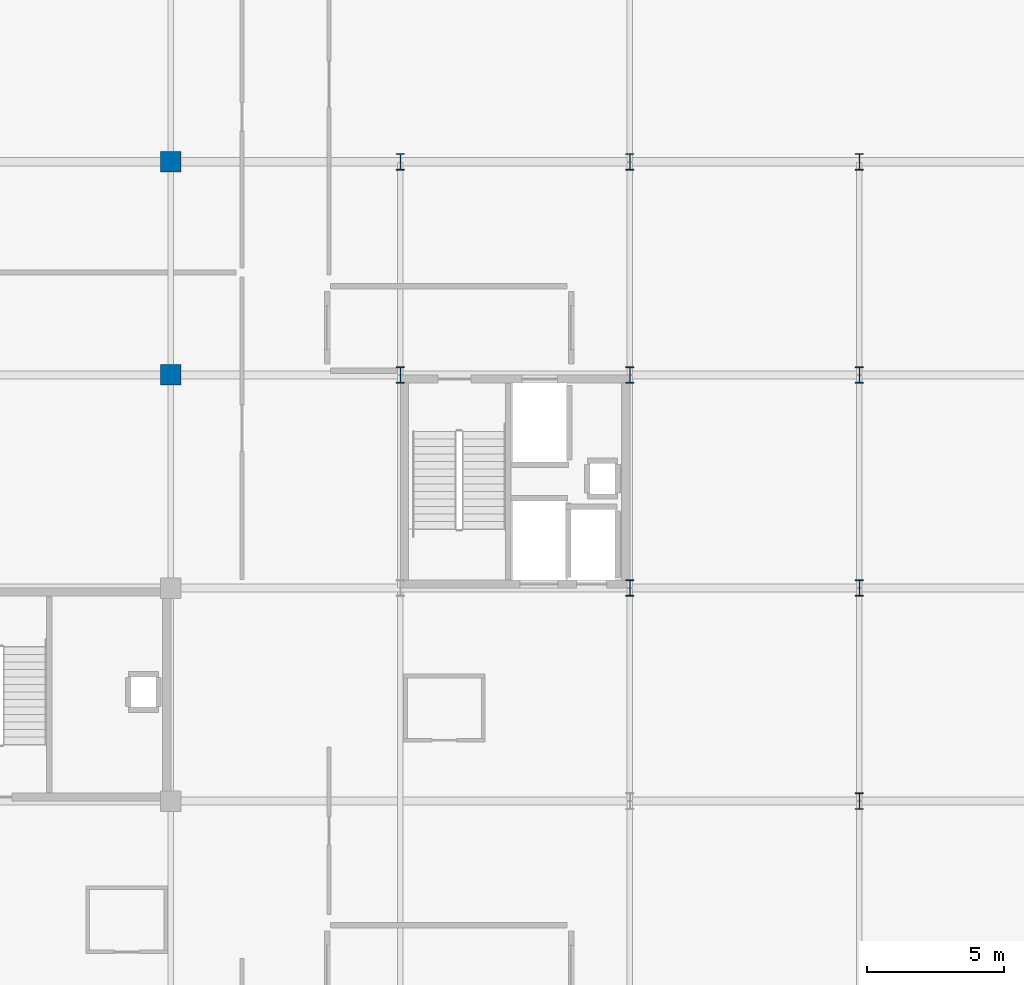
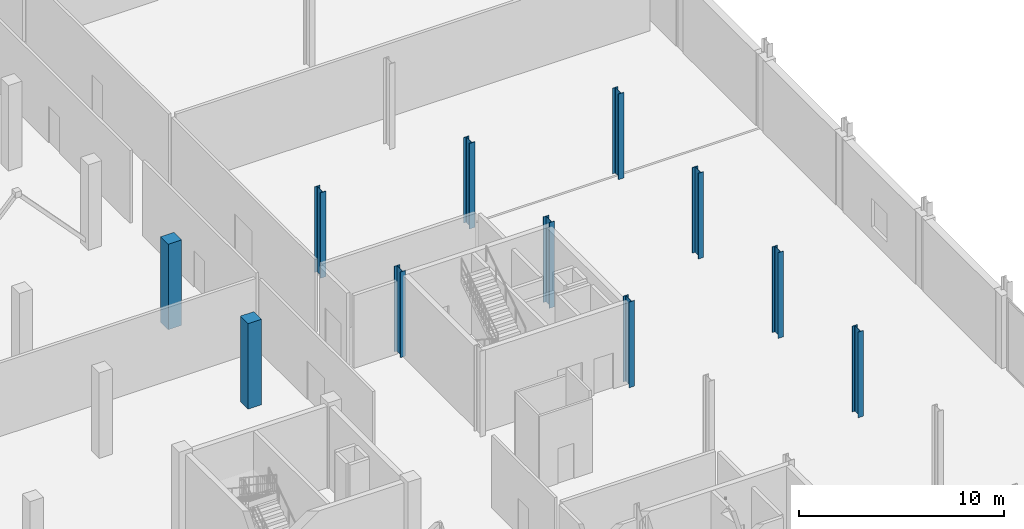
# One storey, part 22 of 105: 11 columns.
"""IFC4 building model written with IfcOpenShell, lengths in metres."""

from ifc_helpers import new_model, si_unit, direction, frame, origin, origin_2d, place, context, subcontext, project, spatial, rectangle, i_section, extrude, material, material_profile, profile_set, type_object, element, save


model = new_model("IFC4")

# Units and contexts
model_context = context("Model", 3, precision=1e-05, world=origin(), true_north=direction((0.0, 1.0)))
body_context = subcontext(model_context, "Body", "Model", "MODEL_VIEW")
ifc_project = project(units=[si_unit("LENGTHUNIT", "METRE"), si_unit("AREAUNIT", "SQUARE_METRE"), si_unit("VOLUMEUNIT", "CUBIC_METRE"), si_unit("PLANEANGLEUNIT", "RADIAN"), si_unit("MASSUNIT", "GRAM", prefix="KILO")], contexts=[model_context])

# Site, building, storey
site_placement = place(None, origin())
site = spatial("IfcSite", under=ifc_project, at=site_placement, CompositionType="ELEMENT")
building_placement = place(site_placement, origin())
building = spatial("IfcBuilding", under=site, at=building_placement, Name="Nabrawat Pavilion Hospital", CompositionType="ELEMENT")
storey_placement = place(building_placement, frame((0.0, 0.0, 5.10009765625)))
storey = spatial("IfcBuildingStorey", under=building, at=storey_placement, Name="L01", CompositionType="ELEMENT", Elevation=5.10009765625)

# Columns
ifc_material_1 = material(Name="Steel S355", Category="steel")
ifc_material_profile_1 = material_profile(ifc_material_1, i_section(OverallWidth=0.300048828125, OverallDepth=0.60009765625, WebThickness=0.015380859375, FlangeThickness=0.030029296875, FilletRadius=0.027099609375, at=origin_2d()), Name="HEB 600")
ifc_profile_set_1 = profile_set([ifc_material_profile_1], Name="Steel S355")
column_type_1 = type_object("IfcColumnType", Name="Composite Steel Column HEB 600", PredefinedType="COLUMN", material=ifc_profile_set_1)
for number, where, z_axis, x_axis, name in (
    (1, (168.0, 78.0, 0.0), (0.0, 0.0, 1.0), (1.0, 0.0, 0.0), "L01 Structural Column G-21-L"),
    (2, (168.0, 85.800048828125, 0.0), (0.0, 0.0, 1.0), (1.0, 0.0, 0.0), "L01 Structural Column G-21-M1"),
    (3, (176.39990234375, 70.199951171875, 0.0), (0.0, 0.0, 1.0), (1.0, 0.0, 0.0), "L01 Structural Column G-22-K"),
    (4, (176.39990234375, 78.0, 0.0), (0.0, 0.0, 1.0), (1.0, 0.0, 0.0), "L01 Structural Column G-22-L"),
    (5, (176.39990234375, 85.800048828125, 0.0), (0.0, 0.0, 1.0), (1.0, 0.0, 0.0), "L01 Structural Column G-22-M1"),
    (6, (184.800048828125, 62.39990234375, 0.0), (0.0, 0.0, 1.0), (1.0, 0.0, 0.0), "L01 Structural Column G-23-J"),
    (7, (184.800048828125, 70.199951171875, 0.0), (0.0, 0.0, 1.0), (1.0, 0.0, 0.0), "L01 Structural Column G-23-K"),
    (8, (184.800048828125, 78.0, 0.0), (0.0, 0.0, 1.0), (1.0, 0.0, 0.0), "L01 Structural Column G-23-L"),
    (9, (184.800048828125, 85.800048828125, 0.0), (0.0, 0.0, 1.0), (1.0, 0.0, 0.0), "L01 Structural Column G-23-M1"),
):
    element("IfcColumn", number, at=place(storey_placement, frame(where, z_axis=z_axis, x_axis=x_axis)), inside=storey, type_object=column_type_1, Name=name, PredefinedType="COLUMN", context=body_context, shape_type="SweptSolid", body=[
        extrude(i_section(OverallWidth=0.300048828125, OverallDepth=0.60009765625, WebThickness=0.015380859375, FlangeThickness=0.030029296875, FilletRadius=0.027099609375, at=origin_2d()), origin(), (0.0, 0.0, 1.0), 5.099853515625),
    ])
ifc_material_2 = material(Name="Concrete C40/50", Category="concrete")
ifc_material_profile_2 = material_profile(ifc_material_2, rectangle(XDim=0.75, YDim=0.75, at=origin_2d()), Name="RC 750x750")
ifc_profile_set_2 = profile_set([ifc_material_profile_2], Name="Concrete C40/50")
column_type_2 = type_object("IfcColumnType", Name="Surgical Suite RC Column 750x750", PredefinedType="COLUMN", material=ifc_profile_set_2)
for number, where, z_axis, x_axis, name in (
    (10, (159.60009765625, 78.0, 0.0), (0.0, 0.0, 1.0), (1.0, 0.0, 0.0), "L01 Structural Column G-20-L"),
    (11, (159.60009765625, 85.800048828125, 0.0), (0.0, 0.0, 1.0), (1.0, 0.0, 0.0), "L01 Structural Column G-20-M1"),
):
    element("IfcColumn", number, at=place(storey_placement, frame(where, z_axis=z_axis, x_axis=x_axis)), inside=storey, type_object=column_type_2, Name=name, PredefinedType="COLUMN", context=body_context, shape_type="SweptSolid", body=[
        extrude(rectangle(XDim=0.75, YDim=0.75, at=origin_2d()), origin(), (0.0, 0.0, 1.0), 5.099853515625),
    ])

save(model, "model.ifc")
